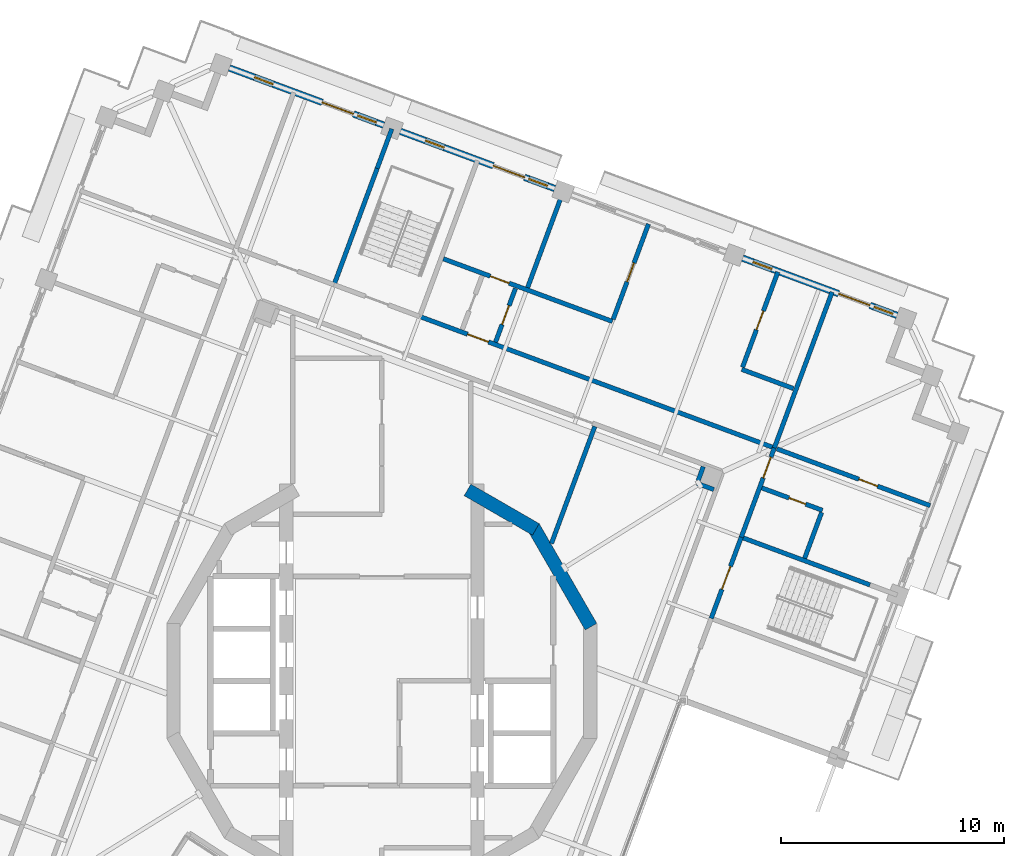
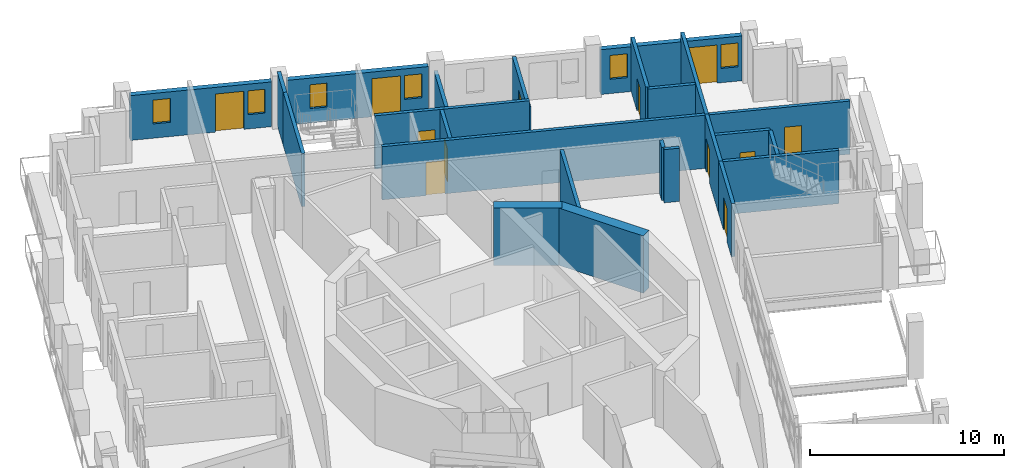
# One storey, part 10 of 19: 24 walls, 12 doors, 6 windows, 18 openings.
"""IFC4 building model written with IfcOpenShell, lengths in metres."""

import ifcopenshell
import ifcopenshell.guid

model = None  # the IFC model being written
_history = None  # IfcOwnerHistory: only IFC2X3 demands one
_inside = {}  # id of a spatial element -> (the spatial element, [elements in it])
_under = {}  # id of a project, library or spatial element -> (it, [spatial elements below it])
_declared = {}  # id of a project -> (the project, [libraries it declares])
_typed = {}  # id of a type object -> (the type object, [elements of that type])
_made_of = {}  # id of a material, layer set ... -> (it, [elements and type objects made of it])


def new_model(schema):
    """Start an empty IFC model of exactly this schema.

    Asked for "IFC4X3", IfcOpenShell would pick the latest addendum, in which some entities
    have other attributes; the version numbers below select the first issue.
    IFC2X3 requires an IfcOwnerHistory on every rooted entity: one is made here for all.
    """
    global model, _history
    if schema == "IFC4X3":
        model = ifcopenshell.file(schema_version=(4, 3, 0, 0))
    else:
        model = ifcopenshell.file(schema=schema)
    _inside.clear()
    _under.clear()
    _declared.clear()
    _typed.clear()
    _made_of.clear()
    _history = None
    if model.schema == "IFC2X3":
        org = make("IfcOrganization", Name="unknown")
        user = make(
            "IfcPersonAndOrganization",
            ThePerson=make("IfcPerson", FamilyName="unknown"),
            TheOrganization=org,
        )
        app = make(
            "IfcApplication",
            ApplicationDeveloper=org,
            Version="unknown",
            ApplicationFullName="unknown",
            ApplicationIdentifier="unknown",
        )
        _history = make(
            "IfcOwnerHistory",
            OwningUser=user,
            OwningApplication=app,
            ChangeAction="ADDED",
            CreationDate=0,
        )
    return model


def make(cls, **values):
    """One entity of the class cls with the attributes given. An attribute that is None is left unset."""
    return model.create_entity(
        cls, **{name: value for name, value in values.items() if value is not None}
    )


def rooted(cls, **values):
    """An entity with a GlobalId (a new one), such as an element, a storey or a relation."""
    return make(cls, GlobalId=ifcopenshell.guid.new(), OwnerHistory=_history, **values)


def si_unit(unit_type, name, prefix=None):
    """IfcSIUnit, for example si_unit("LENGTHUNIT", "METRE", prefix="MILLI")."""
    return make("IfcSIUnit", UnitType=unit_type, Prefix=prefix, Name=name)


def assignment(units):
    """IfcUnitAssignment: the units of a project."""
    return None if units is None else make("IfcUnitAssignment", Units=units)


def point(xyz):
    """IfcCartesianPoint."""
    return None if xyz is None else make("IfcCartesianPoint", Coordinates=xyz)


def direction(xyz):
    """IfcDirection."""
    return None if xyz is None else make("IfcDirection", DirectionRatios=xyz)


def frame(location, z_axis=None, x_axis=None):
    """IfcAxis2Placement3D, a coordinate frame: its origin and axes. An axis left out is left unset."""
    return make(
        "IfcAxis2Placement3D",
        Location=point(location),
        Axis=direction(z_axis),
        RefDirection=direction(x_axis),
    )


def frame_2d(location, x_axis=None):
    """IfcAxis2Placement2D, a coordinate frame in the plane: its origin and x axis."""
    return make(
        "IfcAxis2Placement2D", Location=point(location), RefDirection=direction(x_axis)
    )


def origin():
    """The frame at (0, 0, 0) with its axes left unset."""
    return frame((0.0, 0.0, 0.0))


def place(relative_to, where):
    """IfcLocalPlacement: puts the frame where relative to a parent placement (None: the world)."""
    return make(
        "IfcLocalPlacement", PlacementRelTo=relative_to, RelativePlacement=where
    )


def context(
    kind, dimensions, precision=None, world=None, true_north=None, identifier=None
):
    """IfcGeometricRepresentationContext, for example the 3D "Model" context."""
    return make(
        "IfcGeometricRepresentationContext",
        ContextIdentifier=identifier,
        ContextType=kind,
        CoordinateSpaceDimension=dimensions,
        Precision=precision,
        WorldCoordinateSystem=world,
        TrueNorth=true_north,
    )


def subcontext(parent, identifier, kind, view, scale=None):
    """IfcGeometricRepresentationSubContext, for example "Body" below "Model"."""
    return make(
        "IfcGeometricRepresentationSubContext",
        ContextIdentifier=identifier,
        ContextType=kind,
        ParentContext=parent,
        TargetScale=scale,
        TargetView=view,
    )


def project(units=None, contexts=None):
    """IfcProject with its units and contexts."""
    return rooted(
        "IfcProject",
        Name="project",
        RepresentationContexts=contexts,
        UnitsInContext=assignment(units),
    )


def spatial(cls, under=None, at=None, **own):
    """A site, building, storey or space (cls), placed at a placement, below another one or the project."""
    s = rooted(cls, ObjectPlacement=at, **own)
    if under is not None:
        _under.setdefault(under.id(), (under, []))[1].append(s)
    return s


def profile(cls, at=None, kind="AREA", **sizes):
    """A parametric profile (cls). Its sizes go by their IFC names, for example OverallWidth=200.0."""
    return make(cls, ProfileType=kind, Position=at, **sizes)


def rectangle(**sizes):
    """IfcRectangleProfileDef."""
    return profile("IfcRectangleProfileDef", **sizes)


def extrude(swept, where, along, depth):
    """IfcExtrudedAreaSolid: the profile swept, set in the frame where, extruded along a direction by depth."""
    return make(
        "IfcExtrudedAreaSolid",
        SweptArea=swept,
        Position=where,
        ExtrudedDirection=direction(along),
        Depth=depth,
    )


def shape(context_of_items, identifier, shape_type, items):
    """IfcShapeRepresentation: the items that make up one representation, for example the "Body"."""
    return make(
        "IfcShapeRepresentation",
        ContextOfItems=context_of_items,
        RepresentationIdentifier=identifier,
        RepresentationType=shape_type,
        Items=items,
    )


def material(Name=None, Category=None):
    """IfcMaterial."""
    return make("IfcMaterial", Name=Name, Category=Category)


def layer(
    of_material, thickness, ventilated=None, Name=None, Category=None, Priority=None
):
    """IfcMaterialLayer: one layer of a wall or slab, of a material (None: an air gap)."""
    return make(
        "IfcMaterialLayer",
        Material=of_material,
        LayerThickness=thickness,
        IsVentilated=ventilated,
        Name=Name,
        Category=Category,
        Priority=Priority,
    )


def layer_set(layers, Name=None):
    """IfcMaterialLayerSet."""
    return make("IfcMaterialLayerSet", MaterialLayers=layers, LayerSetName=Name)


def made_of(thing, what):
    """Note that an element or type object is made of a material, layer set ...; save() writes the relation."""
    if what is not None:
        _made_of.setdefault(what.id(), (what, []))[1].append(thing)
    return thing


def type_object(cls, material=None, **own):
    """A type object (cls), such as IfcWallType, which elements share."""
    return made_of(rooted(cls, **own), material)


def element(
    cls,
    number,
    at=None,
    inside=None,
    cuts=None,
    type_object=None,
    material=None,
    context=None,
    identifier="Body",
    shape_type=None,
    held_by="IfcProductDefinitionShape",
    body=None,
    shapes=None,
    **own,
):
    """One element of the class cls, such as IfcWall. Its Tag is "e" and its number.

    at: its placement. inside: the storey or other place that contains it. cuts: it is an
    opening in that element (IfcRelVoidsElement). A single representation is given by context,
    identifier, shape_type and body (its items); several are given by shapes. held_by: the class
    of the entity that holds the representations. save() writes the other relations.
    """
    e = rooted(cls, Tag="e%d" % number, ObjectPlacement=at, **own)
    if body is not None:
        shapes = [shape(context, identifier, shape_type, body)]
    if shapes is not None:
        e.Representation = make(held_by, Representations=shapes)
    if inside is not None:
        _inside.setdefault(inside.id(), (inside, []))[1].append(e)
    if cuts is not None:
        rooted(
            "IfcRelVoidsElement", RelatingBuildingElement=cuts, RelatedOpeningElement=e
        )
    if type_object is not None:
        _typed.setdefault(type_object.id(), (type_object, []))[1].append(e)
    return made_of(e, material)


def fill(opening, filler):
    """IfcRelFillsElement: the door or window that sits in an opening."""
    return rooted(
        "IfcRelFillsElement",
        RelatingOpeningElement=opening,
        RelatedBuildingElement=filler,
    )


def aggregate(whole, parts):
    """IfcRelAggregates: a whole, such as a stair, and the parts it consists of."""
    return rooted("IfcRelAggregates", RelatingObject=whole, RelatedObjects=parts)


def save(model, path):
    """Write the relations noted so far, then the file.

    IfcRelAggregates (storeys below a building ...), IfcRelContainedInSpatialStructure (elements
    in a storey), IfcRelDefinesByType, IfcRelAssociatesMaterial and IfcRelDeclares: one each for
    every whole, place, type object, material and project.
    """
    for whole, parts in _under.values():
        aggregate(whole, parts)
    for where, things in _inside.values():
        rooted(
            "IfcRelContainedInSpatialStructure",
            RelatedElements=things,
            RelatingStructure=where,
        )
    for kind, things in _typed.values():
        rooted("IfcRelDefinesByType", RelatedObjects=things, RelatingType=kind)
    for what, things in _made_of.values():
        rooted("IfcRelAssociatesMaterial", RelatedObjects=things, RelatingMaterial=what)
    for by, libraries in _declared.values():
        rooted("IfcRelDeclares", RelatingContext=by, RelatedDefinitions=libraries)
    model.write(path)


model = new_model("IFC4")

# Units and contexts
model_context = context("Model", 3, precision=1e-05, world=origin(), true_north=direction((0.0, 1.0)))
body_context = subcontext(model_context, "Body", "Model", "MODEL_VIEW")
ifc_project = project(units=[si_unit("LENGTHUNIT", "METRE"), si_unit("AREAUNIT", "SQUARE_METRE"), si_unit("VOLUMEUNIT", "CUBIC_METRE"), si_unit("PLANEANGLEUNIT", "RADIAN"), si_unit("MASSUNIT", "GRAM", prefix="KILO")], contexts=[model_context])

# Site, building, storey
site_placement = place(None, origin())
site = spatial("IfcSite", under=ifc_project, at=site_placement, CompositionType="ELEMENT")
building_placement = place(site_placement, origin())
building = spatial("IfcBuilding", under=site, at=building_placement, Name="Cantera Rosa Tower", CompositionType="ELEMENT")
storey_placement = place(building_placement, frame((0.0, 0.0, 331.300048828125)))
storey = spatial("IfcBuildingStorey", under=building, at=storey_placement, Name="L74", CompositionType="ELEMENT", Elevation=331.300048828125)

# Wall, opening, door
ifc_material_1 = material(Name="Gypsum board partition")
ifc_layer_1 = layer(ifc_material_1, 0.199951171875)
ifc_layer_set_1 = layer_set([ifc_layer_1], Name="CORRIDOR WALL 200 H3350")
wall_type_1 = type_object("IfcWallType", Name="CORRIDOR WALL 200 H3350", PredefinedType="PARTITIONING", material=ifc_layer_set_1)
wall_1_placement = place(storey_placement, frame((16.1513671875, 6.460205078125, 0.0), z_axis=(0.0, 0.0, 1.0), x_axis=(0.347438825371, 0.937702651497, 0.0)))
wall_1 = element("IfcWall", 1, at=wall_1_placement, inside=storey, type_object=wall_type_1, Name="CORRIDOR WALL L74-107", PredefinedType="PARTITIONING", context=body_context, shape_type="SweptSolid", body=[
    extrude(rectangle(XDim=4.280029296875, YDim=0.199951171875, at=frame_2d((2.14013671875, 0.0))), origin(), (0.0, 0.0, 1.0), 3.349853515625),
])
opening_1_placement = place(wall_1_placement, frame((2.840087890625, 0.0, 0.0)))
opening_1 = element("IfcOpeningElement", 2, at=opening_1_placement, cuts=wall_1, Name="Opening L74-049", PredefinedType="OPENING", context=body_context, shape_type="SweptSolid", body=[
    extrude(rectangle(XDim=1.0, YDim=2.10009765625, at=frame_2d((0.5, 1.050048828125))), frame((0.0, 0.10986328125, 0.0), z_axis=(0.0, -1.0, 0.0), x_axis=(1.0, 0.0, 0.0)), (0.0, 0.0, 1.0), 0.219970703125),
])
ifc_material_2 = material(Name="Timber door leaf", Category="wood")
door_type_1 = type_object("IfcDoorType", Name="ENTRANCE DOOR 1000x2100", OperationType="NOTDEFINED", PredefinedType="DOOR", material=ifc_material_2)
door_1_placement = place(opening_1_placement, origin())
door_1 = element("IfcDoor", 3, at=door_1_placement, inside=storey, type_object=door_type_1, Name="DOOR L74-049", OperationType="NOTDEFINED", OverallHeight=2.10009765625, OverallWidth=1.0, PredefinedType="DOOR", context=body_context, shape_type="SweptSolid", body=[
    extrude(rectangle(XDim=1.0, YDim=2.10009765625, at=frame_2d((0.5, 1.050048828125))), frame((0.0, 0.02490234375, 0.0), z_axis=(0.0, -1.0, 0.0), x_axis=(1.0, 0.0, 0.0)), (0.0, 0.0, 1.0), 0.050048828125),
])
fill(opening_1, door_1)

wall_2_placement = place(storey_placement, frame((17.544677734375, 10.50830078125, 0.0), z_axis=(0.0, 0.0, 1.0), x_axis=(-0.937684617113, 0.347487494493, 0.0)))
wall_2 = element("IfcWall", 4, at=wall_2_placement, inside=storey, type_object=wall_type_1, Name="CORRIDOR WALL L74-110", PredefinedType="PARTITIONING", context=body_context, shape_type="SweptSolid", body=[
    extrude(rectangle(XDim=16.900146484375, YDim=0.199951171875, at=frame_2d((8.4501953125, 0.0))), origin(), (0.0, 0.0, 1.0), 3.349853515625),
])
opening_2_placement = place(wall_2_placement, frame((13.60009765625, 0.0, 0.0)))
opening_2 = element("IfcOpeningElement", 5, at=opening_2_placement, cuts=wall_2, Name="Opening L74-021", PredefinedType="OPENING", context=body_context, shape_type="SweptSolid", body=[
    extrude(rectangle(XDim=1.0, YDim=2.10009765625, at=frame_2d((0.5, 1.050048828125))), frame((0.0, 0.10986328125, 0.0), z_axis=(0.0, -1.0, 0.0), x_axis=(1.0, 0.0, 0.0)), (0.0, 0.0, 1.0), 0.219970703125),
])
door_2_placement = place(opening_2_placement, origin())
door_2 = element("IfcDoor", 6, at=door_2_placement, inside=storey, type_object=door_type_1, Name="DOOR L74-021", OperationType="NOTDEFINED", OverallHeight=2.10009765625, OverallWidth=1.0, PredefinedType="DOOR", context=body_context, shape_type="SweptSolid", body=[
    extrude(rectangle(XDim=1.0, YDim=2.10009765625, at=frame_2d((0.5, 1.050048828125))), frame((0.0, 0.02490234375, 0.0), z_axis=(0.0, -1.0, 0.0), x_axis=(1.0, 0.0, 0.0)), (0.0, 0.0, 1.0), 0.050048828125),
])
fill(opening_2, door_2)

# Wall, openings, windows, door
ifc_material_3 = material(Name="Hollow clay masonry with cantera stone cladding", Category="masonry")
ifc_layer_2 = layer(ifc_material_3, 0.300048828125)
ifc_layer_set_2 = layer_set([ifc_layer_2], Name="EW-LOGGIA 300 H2820")
wall_type_2 = type_object("IfcWallType", Name="EW-LOGGIA 300 H2820", PredefinedType="SOLIDWALL", material=ifc_layer_set_2)
wall_3_placement = place(storey_placement, frame((23.1513671875, 16.428955078125, 0.0), z_axis=(0.0, 0.0, 1.0), x_axis=(-0.937676706507, 0.347508840281, 0.0)))
wall_3 = element("IfcWall", 7, at=wall_3_placement, inside=storey, type_object=wall_type_2, Name="EN-L74-W01", PredefinedType="SOLIDWALL", context=body_context, shape_type="SweptSolid", body=[
    extrude(rectangle(XDim=7.39990234375, YDim=0.300048828125, at=frame_2d((3.699951171875, 0.0))), origin(), (0.0, 0.0, 1.0), 2.820068359375),
])
opening_3_placement = place(wall_3_placement, frame((0.199951171875, 0.0, 0.89990234375)))
opening_3 = element("IfcOpeningElement", 8, at=opening_3_placement, cuts=wall_3, Name="Opening L74-W01", PredefinedType="OPENING", context=body_context, shape_type="SweptSolid", body=[
    extrude(rectangle(XDim=0.89990234375, YDim=1.5, at=frame_2d((0.449951171875, 0.75))), frame((0.0, 0.159912109375, 0.0), z_axis=(0.0, -1.0, 0.0), x_axis=(1.0, 0.0, 0.0)), (0.0, 0.0, 1.0), 0.320068359375),
])
opening_4_placement = place(wall_3_placement, frame((1.300048828125, 0.0, 0.0)))
opening_4 = element("IfcOpeningElement", 9, at=opening_4_placement, cuts=wall_3, Name="Opening L74-TD02", PredefinedType="OPENING", context=body_context, shape_type="SweptSolid", body=[
    extrude(rectangle(XDim=1.5, YDim=2.39990234375, at=frame_2d((0.75, 1.199951171875))), frame((0.0, 0.159912109375, 0.0), z_axis=(0.0, -1.0, 0.0), x_axis=(1.0, 0.0, 0.0)), (0.0, 0.0, 1.0), 0.320068359375),
])
opening_5_placement = place(wall_3_placement, frame((6.0, 0.0, 0.89990234375)))
opening_5 = element("IfcOpeningElement", 10, at=opening_5_placement, cuts=wall_3, Name="Opening L74-W03", PredefinedType="OPENING", context=body_context, shape_type="SweptSolid", body=[
    extrude(rectangle(XDim=0.89990234375, YDim=1.5, at=frame_2d((0.449951171875, 0.75))), frame((0.0, 0.159912109375, 0.0), z_axis=(0.0, -1.0, 0.0), x_axis=(1.0, 0.0, 0.0)), (0.0, 0.0, 1.0), 0.320068359375),
])
ifc_material_4 = material(Name="Aluminium frame with clear glass", Category="aluminium")
window_type = type_object("IfcWindowType", Name="Residential window 900x1500", PartitioningType="SINGLE_PANEL", PredefinedType="WINDOW", material=ifc_material_4)
window_1_placement = place(opening_3_placement, origin())
window_1 = element("IfcWindow", 11, at=window_1_placement, inside=storey, type_object=window_type, Name="WINDOW L74-W01", OverallHeight=1.5, OverallWidth=0.89990234375, PartitioningType="SINGLE_PANEL", PredefinedType="WINDOW", context=body_context, shape_type="SweptSolid", body=[
    extrude(rectangle(XDim=0.89990234375, YDim=1.5, at=frame_2d((0.449951171875, 0.75))), frame((0.0, 0.030029296875, 0.0), z_axis=(0.0, -1.0, 0.0), x_axis=(1.0, 0.0, 0.0)), (0.0, 0.0, 1.0), 0.06005859375),
])
fill(opening_3, window_1)
window_2_placement = place(opening_5_placement, origin())
window_2 = element("IfcWindow", 12, at=window_2_placement, inside=storey, type_object=window_type, Name="WINDOW L74-W03", OverallHeight=1.5, OverallWidth=0.89990234375, PartitioningType="SINGLE_PANEL", PredefinedType="WINDOW", context=body_context, shape_type="SweptSolid", body=[
    extrude(rectangle(XDim=0.89990234375, YDim=1.5, at=frame_2d((0.449951171875, 0.75))), frame((0.0, 0.030029296875, 0.0), z_axis=(0.0, -1.0, 0.0), x_axis=(1.0, 0.0, 0.0)), (0.0, 0.0, 1.0), 0.06005859375),
])
fill(opening_5, window_2)
ifc_material_5 = material(Name="Aluminium frame with clear glass", Category="aluminium")
door_type_2 = type_object("IfcDoorType", Name="TD-R 1500x2400", OperationType="NOTDEFINED", PredefinedType="DOOR", material=ifc_material_5)
door_3_placement = place(opening_4_placement, origin())
door_3 = element("IfcDoor", 13, at=door_3_placement, inside=storey, type_object=door_type_2, Name="LOGGIA DOOR L74-TD02", OperationType="SLIDING_TO_LEFT", OverallHeight=2.39990234375, OverallWidth=1.5, PredefinedType="DOOR", context=body_context, shape_type="SweptSolid", body=[
    extrude(rectangle(XDim=1.5, YDim=2.39990234375, at=frame_2d((0.75, 1.199951171875))), frame((0.0, 0.02490234375, 0.0), z_axis=(0.0, -1.0, 0.0), x_axis=(1.0, 0.0, 0.0)), (0.0, 0.0, 1.0), 0.050048828125),
])
fill(opening_4, door_3)

wall_4_placement = place(storey_placement, frame((7.7734375, 22.127685546875, 0.0), z_axis=(0.0, 0.0, 1.0), x_axis=(-0.937680690562, 0.34749808999, 0.0)))
wall_4 = element("IfcWall", 14, at=wall_4_placement, inside=storey, type_object=wall_type_2, Name="EN-L74-W03", PredefinedType="SOLIDWALL", context=body_context, shape_type="SweptSolid", body=[
    extrude(rectangle(XDim=7.400146484375, YDim=0.300048828125, at=frame_2d((3.7001953125, 0.0))), origin(), (0.0, 0.0, 1.0), 2.820068359375),
])
opening_6_placement = place(wall_4_placement, frame((0.35009765625, 0.0, 0.89990234375)))
opening_6 = element("IfcOpeningElement", 15, at=opening_6_placement, cuts=wall_4, Name="Opening L74-W07", PredefinedType="OPENING", context=body_context, shape_type="SweptSolid", body=[
    extrude(rectangle(XDim=0.89990234375, YDim=1.5, at=frame_2d((0.449951171875, 0.75))), frame((0.0, 0.159912109375, 0.0), z_axis=(0.0, -1.0, 0.0), x_axis=(1.0, 0.0, 0.0)), (0.0, 0.0, 1.0), 0.320068359375),
])
opening_7_placement = place(wall_4_placement, frame((1.449951171875, 0.0, 0.0)))
opening_7 = element("IfcOpeningElement", 16, at=opening_7_placement, cuts=wall_4, Name="Opening L74-TD08", PredefinedType="OPENING", context=body_context, shape_type="SweptSolid", body=[
    extrude(rectangle(XDim=1.5, YDim=2.39990234375, at=frame_2d((0.75, 1.199951171875))), frame((0.0, 0.159912109375, 0.0), z_axis=(0.0, -1.0, 0.0), x_axis=(1.0, 0.0, 0.0)), (0.0, 0.0, 1.0), 0.320068359375),
])
opening_8_placement = place(wall_4_placement, frame((5.300048828125, 0.0, 0.89990234375)))
opening_8 = element("IfcOpeningElement", 17, at=opening_8_placement, cuts=wall_4, Name="Opening L74-W09", PredefinedType="OPENING", context=body_context, shape_type="SweptSolid", body=[
    extrude(rectangle(XDim=0.89990234375, YDim=1.5, at=frame_2d((0.449951171875, 0.75))), frame((0.0, 0.159912109375, 0.0), z_axis=(0.0, -1.0, 0.0), x_axis=(1.0, 0.0, 0.0)), (0.0, 0.0, 1.0), 0.320068359375),
])
window_3_placement = place(opening_6_placement, origin())
window_3 = element("IfcWindow", 18, at=window_3_placement, inside=storey, type_object=window_type, Name="WINDOW L74-W07", OverallHeight=1.5, OverallWidth=0.89990234375, PartitioningType="SINGLE_PANEL", PredefinedType="WINDOW", context=body_context, shape_type="SweptSolid", body=[
    extrude(rectangle(XDim=0.89990234375, YDim=1.5, at=frame_2d((0.449951171875, 0.75))), frame((0.0, 0.030029296875, 0.0), z_axis=(0.0, -1.0, 0.0), x_axis=(1.0, 0.0, 0.0)), (0.0, 0.0, 1.0), 0.06005859375),
])
fill(opening_6, window_3)
window_4_placement = place(opening_8_placement, origin())
window_4 = element("IfcWindow", 19, at=window_4_placement, inside=storey, type_object=window_type, Name="WINDOW L74-W09", OverallHeight=1.5, OverallWidth=0.89990234375, PartitioningType="SINGLE_PANEL", PredefinedType="WINDOW", context=body_context, shape_type="SweptSolid", body=[
    extrude(rectangle(XDim=0.89990234375, YDim=1.5, at=frame_2d((0.449951171875, 0.75))), frame((0.0, 0.030029296875, 0.0), z_axis=(0.0, -1.0, 0.0), x_axis=(1.0, 0.0, 0.0)), (0.0, 0.0, 1.0), 0.06005859375),
])
fill(opening_8, window_4)
door_4_placement = place(opening_7_placement, origin())
door_4 = element("IfcDoor", 20, at=door_4_placement, inside=storey, type_object=door_type_2, Name="LOGGIA DOOR L74-TD08", OperationType="SLIDING_TO_LEFT", OverallHeight=2.39990234375, OverallWidth=1.5, PredefinedType="DOOR", context=body_context, shape_type="SweptSolid", body=[
    extrude(rectangle(XDim=1.5, YDim=2.39990234375, at=frame_2d((0.75, 1.199951171875))), frame((0.0, 0.02490234375, 0.0), z_axis=(0.0, -1.0, 0.0), x_axis=(1.0, 0.0, 0.0)), (0.0, 0.0, 1.0), 0.050048828125),
])
fill(opening_7, door_4)

wall_5_placement = place(storey_placement, frame((0.084228515625, 24.97705078125, 0.0), z_axis=(0.0, 0.0, 1.0), x_axis=(-0.937687456783, 0.347479831633, 0.0)))
wall_5 = element("IfcWall", 21, at=wall_5_placement, inside=storey, type_object=wall_type_2, Name="EN-L74-W04", PredefinedType="SOLIDWALL", context=body_context, shape_type="SweptSolid", body=[
    extrude(rectangle(XDim=7.39990234375, YDim=0.300048828125, at=frame_2d((3.699951171875, 0.0))), origin(), (0.0, 0.0, 1.0), 2.820068359375),
])
opening_9_placement = place(wall_5_placement, frame((0.35009765625, 0.0, 0.89990234375)))
opening_9 = element("IfcOpeningElement", 22, at=opening_9_placement, cuts=wall_5, Name="Opening L74-W10", PredefinedType="OPENING", context=body_context, shape_type="SweptSolid", body=[
    extrude(rectangle(XDim=0.89990234375, YDim=1.5, at=frame_2d((0.449951171875, 0.75))), frame((0.0, 0.159912109375, 0.0), z_axis=(0.0, -1.0, 0.0), x_axis=(1.0, 0.0, 0.0)), (0.0, 0.0, 1.0), 0.320068359375),
])
opening_10_placement = place(wall_5_placement, frame((1.449951171875, 0.0, 0.0)))
opening_10 = element("IfcOpeningElement", 23, at=opening_10_placement, cuts=wall_5, Name="Opening L74-TD11", PredefinedType="OPENING", context=body_context, shape_type="SweptSolid", body=[
    extrude(rectangle(XDim=1.5, YDim=2.39990234375, at=frame_2d((0.75, 1.199951171875))), frame((0.0, 0.159912109375, 0.0), z_axis=(0.0, -1.0, 0.0), x_axis=(1.0, 0.0, 0.0)), (0.0, 0.0, 1.0), 0.320068359375),
])
opening_11_placement = place(wall_5_placement, frame((5.300048828125, 0.0, 0.89990234375)))
opening_11 = element("IfcOpeningElement", 24, at=opening_11_placement, cuts=wall_5, Name="Opening L74-W12", PredefinedType="OPENING", context=body_context, shape_type="SweptSolid", body=[
    extrude(rectangle(XDim=0.89990234375, YDim=1.5, at=frame_2d((0.449951171875, 0.75))), frame((0.0, 0.159912109375, 0.0), z_axis=(0.0, -1.0, 0.0), x_axis=(1.0, 0.0, 0.0)), (0.0, 0.0, 1.0), 0.320068359375),
])
window_5_placement = place(opening_9_placement, origin())
window_5 = element("IfcWindow", 25, at=window_5_placement, inside=storey, type_object=window_type, Name="WINDOW L74-W10", OverallHeight=1.5, OverallWidth=0.89990234375, PartitioningType="SINGLE_PANEL", PredefinedType="WINDOW", context=body_context, shape_type="SweptSolid", body=[
    extrude(rectangle(XDim=0.89990234375, YDim=1.5, at=frame_2d((0.449951171875, 0.75))), frame((0.0, 0.030029296875, 0.0), z_axis=(0.0, -1.0, 0.0), x_axis=(1.0, 0.0, 0.0)), (0.0, 0.0, 1.0), 0.06005859375),
])
fill(opening_9, window_5)
window_6_placement = place(opening_11_placement, origin())
window_6 = element("IfcWindow", 26, at=window_6_placement, inside=storey, type_object=window_type, Name="WINDOW L74-W12", OverallHeight=1.5, OverallWidth=0.89990234375, PartitioningType="SINGLE_PANEL", PredefinedType="WINDOW", context=body_context, shape_type="SweptSolid", body=[
    extrude(rectangle(XDim=0.89990234375, YDim=1.5, at=frame_2d((0.449951171875, 0.75))), frame((0.0, 0.030029296875, 0.0), z_axis=(0.0, -1.0, 0.0), x_axis=(1.0, 0.0, 0.0)), (0.0, 0.0, 1.0), 0.06005859375),
])
fill(opening_11, window_6)
door_5_placement = place(opening_10_placement, origin())
door_5 = element("IfcDoor", 27, at=door_5_placement, inside=storey, type_object=door_type_2, Name="LOGGIA DOOR L74-TD11", OperationType="SLIDING_TO_LEFT", OverallHeight=2.39990234375, OverallWidth=1.5, PredefinedType="DOOR", context=body_context, shape_type="SweptSolid", body=[
    extrude(rectangle(XDim=1.5, YDim=2.39990234375, at=frame_2d((0.75, 1.199951171875))), frame((0.0, 0.02490234375, 0.0), z_axis=(0.0, -1.0, 0.0), x_axis=(1.0, 0.0, 0.0)), (0.0, 0.0, 1.0), 0.050048828125),
])
fill(opening_10, door_5)

# Wall
ifc_material_6 = material(Name="Gypsum board partition")
ifc_layer_3 = layer(ifc_material_6, 0.199951171875)
ifc_layer_set_3 = layer_set([ifc_layer_3], Name="PARTITION 200 H2450")
wall_type_3 = type_object("IfcWallType", Name="PARTITION 200 H2450", PredefinedType="PARTITIONING", material=ifc_layer_set_3)
wall_6_placement = place(storey_placement, frame((8.137939453125, 21.960693359375, 0.0), z_axis=(0.0, 0.0, 1.0), x_axis=(-0.347450063389, -0.937698487495, 0.0)))
element("IfcWall", 28, at=wall_6_placement, inside=storey, type_object=wall_type_3, Name="PARTITION L74-098", PredefinedType="PARTITIONING", context=body_context, shape_type="SweptSolid", body=[
    extrude(rectangle(XDim=4.570068359375, YDim=0.199951171875, at=frame_2d((2.28515625, 0.0))), origin(), (0.0, 0.0, 1.0), 2.449951171875),
])

# Wall, opening, door
ifc_material_7 = material(Name="Gypsum board partition")
ifc_layer_4 = layer(ifc_material_7, 0.199951171875)
ifc_layer_set_4 = layer_set([ifc_layer_4], Name="PARTITION 200 H2850")
wall_type_4 = type_object("IfcWallType", Name="PARTITION 200 H2850", PredefinedType="PARTITIONING", material=ifc_layer_set_4)
wall_7_placement = place(storey_placement, frame((11.982421875, 20.535888671875, 0.0), z_axis=(0.0, 0.0, 1.0), x_axis=(-0.347467468938, -0.937692037947, 0.0)))
wall_7 = element("IfcWall", 29, at=wall_7_placement, inside=storey, type_object=wall_type_4, Name="PARTITION L74-101", PredefinedType="PARTITIONING", context=body_context, shape_type="SweptSolid", body=[
    extrude(rectangle(XDim=4.56982421875, YDim=0.199951171875, at=frame_2d((2.284912109375, 0.0))), origin(), (0.0, 0.0, 1.0), 2.849853515625),
])
opening_12_placement = place(wall_7_placement, frame((1.8701171875, 0.0, 0.0)))
opening_12 = element("IfcOpeningElement", 30, at=opening_12_placement, cuts=wall_7, Name="Opening L74-025", PredefinedType="OPENING", context=body_context, shape_type="SweptSolid", body=[
    extrude(rectangle(XDim=0.89990234375, YDim=2.10009765625, at=frame_2d((0.449951171875, 1.050048828125))), frame((0.0, 0.10986328125, 0.0), z_axis=(0.0, -1.0, 0.0), x_axis=(1.0, 0.0, 0.0)), (0.0, 0.0, 1.0), 0.219970703125),
])
ifc_material_8 = material(Name="Timber door leaf", Category="wood")
door_type_3 = type_object("IfcDoorType", Name="ROOM DOOR 900x2100", OperationType="NOTDEFINED", PredefinedType="DOOR", material=ifc_material_8)
door_6_placement = place(opening_12_placement, origin())
door_6 = element("IfcDoor", 31, at=door_6_placement, inside=storey, type_object=door_type_3, Name="DOOR L74-025", OperationType="NOTDEFINED", OverallHeight=2.10009765625, OverallWidth=0.89990234375, PredefinedType="DOOR", context=body_context, shape_type="SweptSolid", body=[
    extrude(rectangle(XDim=0.89990234375, YDim=2.10009765625, at=frame_2d((0.449951171875, 1.050048828125))), frame((0.0, 0.02490234375, 0.0), z_axis=(0.0, -1.0, 0.0), x_axis=(1.0, 0.0, 0.0)), (0.0, 0.0, 1.0), 0.050048828125),
])
fill(opening_12, door_6)

ifc_material_9 = material(Name="Gypsum board partition")
ifc_layer_5 = layer(ifc_material_9, 0.199951171875)
ifc_layer_set_5 = layer_set([ifc_layer_5], Name="PARTITION 200 H3350")
wall_type_5 = type_object("IfcWallType", Name="PARTITION 200 H3350", PredefinedType="PARTITIONING", material=ifc_layer_set_5)
wall_8_placement = place(storey_placement, frame((2.764404296875, 18.9716796875, 0.0), z_axis=(0.0, 0.0, 1.0), x_axis=(0.937685847618, -0.347484173996, 0.0)))
wall_8 = element("IfcWall", 32, at=wall_8_placement, inside=storey, type_object=wall_type_5, Name="PARTITION L74-073", PredefinedType="PARTITIONING", context=body_context, shape_type="SweptSolid", body=[
    extrude(rectangle(XDim=8.10009765625, YDim=0.199951171875, at=frame_2d((4.050048828125, 0.0))), origin(), (0.0, 0.0, 1.0), 3.349853515625),
])
opening_13_placement = place(wall_8_placement, frame((2.25, 0.0, 0.0)))
opening_13 = element("IfcOpeningElement", 33, at=opening_13_placement, cuts=wall_8, Name="Opening L74-024", PredefinedType="OPENING", context=body_context, shape_type="SweptSolid", body=[
    extrude(rectangle(XDim=0.89990234375, YDim=2.10009765625, at=frame_2d((0.449951171875, 1.050048828125))), frame((0.0, 0.10986328125, 0.0), z_axis=(0.0, -1.0, 0.0), x_axis=(1.0, 0.0, 0.0)), (0.0, 0.0, 1.0), 0.219970703125),
])
door_7_placement = place(opening_13_placement, origin())
door_7 = element("IfcDoor", 34, at=door_7_placement, inside=storey, type_object=door_type_3, Name="DOOR L74-024", OperationType="NOTDEFINED", OverallHeight=2.10009765625, OverallWidth=0.89990234375, PredefinedType="DOOR", context=body_context, shape_type="SweptSolid", body=[
    extrude(rectangle(XDim=0.89990234375, YDim=2.10009765625, at=frame_2d((0.449951171875, 1.050048828125))), frame((0.0, 0.02490234375, 0.0), z_axis=(0.0, -1.0, 0.0), x_axis=(1.0, 0.0, 0.0)), (0.0, 0.0, 1.0), 0.050048828125),
])
fill(opening_13, door_7)

wall_9_placement = place(storey_placement, frame((6.004638671875, 17.642822265625, 0.0), z_axis=(0.0, 0.0, 1.0), x_axis=(-0.34748078016, -0.937687105286, 0.0)))
wall_9 = element("IfcWall", 35, at=wall_9_placement, inside=storey, type_object=wall_type_5, Name="PARTITION L74-088", PredefinedType="PARTITIONING", context=body_context, shape_type="SweptSolid", body=[
    extrude(rectangle(XDim=2.579833984375, YDim=0.199951171875, at=frame_2d((1.2900390625, 0.0))), origin(), (0.0, 0.0, 1.0), 3.349853515625),
])
opening_14_placement = place(wall_9_placement, frame((0.830078125, 0.0, 0.0)))
opening_14 = element("IfcOpeningElement", 36, at=opening_14_placement, cuts=wall_9, Name="Opening L74-023", PredefinedType="OPENING", context=body_context, shape_type="SweptSolid", body=[
    extrude(rectangle(XDim=0.89990234375, YDim=2.10009765625, at=frame_2d((0.449951171875, 1.050048828125))), frame((0.0, 0.10986328125, 0.0), z_axis=(0.0, -1.0, 0.0), x_axis=(1.0, 0.0, 0.0)), (0.0, 0.0, 1.0), 0.219970703125),
])
door_8_placement = place(opening_14_placement, origin())
door_8 = element("IfcDoor", 37, at=door_8_placement, inside=storey, type_object=door_type_3, Name="DOOR L74-023", OperationType="NOTDEFINED", OverallHeight=2.10009765625, OverallWidth=0.89990234375, PredefinedType="DOOR", context=body_context, shape_type="SweptSolid", body=[
    extrude(rectangle(XDim=0.89990234375, YDim=2.10009765625, at=frame_2d((0.449951171875, 1.050048828125))), frame((0.0, 0.02490234375, 0.0), z_axis=(0.0, -1.0, 0.0), x_axis=(1.0, 0.0, 0.0)), (0.0, 0.0, 1.0), 0.050048828125),
])
fill(opening_14, door_8)

# Walls
wall_10_placement = place(storey_placement, frame((7.62158203125, 6.177490234375, 0.0), z_axis=(0.0, 0.0, 1.0), x_axis=(0.34747170774, 0.937690467223, 0.0)))
element("IfcWall", 38, at=wall_10_placement, inside=storey, type_object=wall_type_5, Name="PARTITION L74-093", PredefinedType="PARTITIONING", context=body_context, shape_type="SweptSolid", body=[
    extrude(rectangle(XDim=5.609130859375, YDim=0.199951171875, at=frame_2d((2.8046875, 0.0))), origin(), (0.0, 0.0, 1.0), 3.349853515625),
])
wall_11_placement = place(storey_placement, frame((14.16845703125, 8.8798828125, 0.0), z_axis=(0.0, 0.0, 1.0), x_axis=(0.937763484234, -0.347274599759, 0.0)))
element("IfcWall", 39, at=wall_11_placement, inside=storey, type_object=wall_type_5, Name="PARTITION L74-102", PredefinedType="PARTITIONING", context=body_context, shape_type="SweptSolid", body=[
    extrude(rectangle(XDim=0.800048828125, YDim=0.199951171875, at=frame_2d((0.39990234375, 0.0))), origin(), (0.0, 0.0, 1.0), 3.349853515625),
])
wall_12_placement = place(storey_placement, frame((14.446533203125, 9.630126953125, 0.0), z_axis=(0.0, 0.0, 1.0), x_axis=(-0.347618433082, -0.937636083447, 0.0)))
element("IfcWall", 40, at=wall_12_placement, inside=storey, type_object=wall_type_5, Name="PARTITION L74-103", PredefinedType="PARTITIONING", context=body_context, shape_type="SweptSolid", body=[
    extrude(rectangle(XDim=0.679931640625, YDim=0.199951171875, at=frame_2d((0.33984375, 0.0))), origin(), (0.0, 0.0, 1.0), 3.349853515625),
])
wall_13_placement = place(storey_placement, frame((16.17333984375, 14.002685546875, 0.0), z_axis=(0.0, 0.0, 1.0), x_axis=(0.937677490933, -0.347506723674, 0.0)))
element("IfcWall", 41, at=wall_13_placement, inside=storey, type_object=wall_type_5, Name="PARTITION L74-108", PredefinedType="PARTITIONING", context=body_context, shape_type="SweptSolid", body=[
    extrude(rectangle(XDim=2.47998046875, YDim=0.199951171875, at=frame_2d((1.239990234375, 0.0))), origin(), (0.0, 0.0, 1.0), 3.349853515625),
])

# Wall, opening, door
wall_14_placement = place(storey_placement, frame((17.0791015625, 8.676025390625, 0.0), z_axis=(0.0, 0.0, 1.0), x_axis=(0.937671557958, -0.347522732201, 0.0)))
wall_14 = element("IfcWall", 42, at=wall_14_placement, inside=storey, type_object=wall_type_5, Name="PARTITION L74-109", PredefinedType="PARTITIONING", context=body_context, shape_type="SweptSolid", body=[
    extrude(rectangle(XDim=2.89990234375, YDim=0.199951171875, at=frame_2d((1.449951171875, 0.0))), origin(), (0.0, 0.0, 1.0), 3.349853515625),
])
opening_15_placement = place(wall_14_placement, frame((1.300048828125, 0.0, 0.0)))
opening_15 = element("IfcOpeningElement", 43, at=opening_15_placement, cuts=wall_14, Name="Opening L74-050", PredefinedType="OPENING", context=body_context, shape_type="SweptSolid", body=[
    extrude(rectangle(XDim=0.800048828125, YDim=2.10009765625, at=frame_2d((0.39990234375, 1.050048828125))), frame((0.0, 0.10986328125, 0.0), z_axis=(0.0, -1.0, 0.0), x_axis=(1.0, 0.0, 0.0)), (0.0, 0.0, 1.0), 0.219970703125),
])
ifc_material_10 = material(Name="Timber door leaf", Category="wood")
door_type_4 = type_object("IfcDoorType", Name="BATHROOM DOOR 800x2100", OperationType="NOTDEFINED", PredefinedType="DOOR", material=ifc_material_10)
door_9_placement = place(opening_15_placement, origin())
door_9 = element("IfcDoor", 44, at=door_9_placement, inside=storey, type_object=door_type_4, Name="DOOR L74-050", OperationType="NOTDEFINED", OverallHeight=2.10009765625, OverallWidth=0.800048828125, PredefinedType="DOOR", context=body_context, shape_type="SweptSolid", body=[
    extrude(rectangle(XDim=0.800048828125, YDim=2.10009765625, at=frame_2d((0.39990234375, 1.050048828125))), frame((0.0, 0.02490234375, 0.0), z_axis=(0.0, -1.0, 0.0), x_axis=(1.0, 0.0, 0.0)), (0.0, 0.0, 1.0), 0.050048828125),
])
fill(opening_15, door_9)

wall_15_placement = place(storey_placement, frame((17.796142578125, 18.381591796875, 0.0), z_axis=(0.0, 0.0, 1.0), x_axis=(-0.347450063389, -0.937698487495, 0.0)))
wall_15 = element("IfcWall", 45, at=wall_15_placement, inside=storey, type_object=wall_type_5, Name="PARTITION L74-111", PredefinedType="PARTITIONING", context=body_context, shape_type="SweptSolid", body=[
    extrude(rectangle(XDim=4.570068359375, YDim=0.199951171875, at=frame_2d((2.28515625, 0.0))), origin(), (0.0, 0.0, 1.0), 3.349853515625),
])
opening_16_placement = place(wall_15_placement, frame((1.8701171875, 0.0, 0.0)))
opening_16 = element("IfcOpeningElement", 46, at=opening_16_placement, cuts=wall_15, Name="Opening L74-026", PredefinedType="OPENING", context=body_context, shape_type="SweptSolid", body=[
    extrude(rectangle(XDim=0.89990234375, YDim=2.10009765625, at=frame_2d((0.449951171875, 1.050048828125))), frame((0.0, 0.10986328125, 0.0), z_axis=(0.0, -1.0, 0.0), x_axis=(1.0, 0.0, 0.0)), (0.0, 0.0, 1.0), 0.219970703125),
])
door_10_placement = place(opening_16_placement, origin())
door_10 = element("IfcDoor", 47, at=door_10_placement, inside=storey, type_object=door_type_3, Name="DOOR L74-026", OperationType="NOTDEFINED", OverallHeight=2.10009765625, OverallWidth=0.89990234375, PredefinedType="DOOR", context=body_context, shape_type="SweptSolid", body=[
    extrude(rectangle(XDim=0.89990234375, YDim=2.10009765625, at=frame_2d((0.449951171875, 1.050048828125))), frame((0.0, 0.02490234375, 0.0), z_axis=(0.0, -1.0, 0.0), x_axis=(1.0, 0.0, 0.0)), (0.0, 0.0, 1.0), 0.050048828125),
])
fill(opening_16, door_10)

# Wall
wall_16_placement = place(storey_placement, frame((19.763427734375, 7.574462890625, 0.0), z_axis=(0.0, 0.0, 1.0), x_axis=(-0.347484236727, -0.937685824371, 0.0)))
element("IfcWall", 48, at=wall_16_placement, inside=storey, type_object=wall_type_5, Name="PARTITION L74-112", PredefinedType="PARTITIONING", context=body_context, shape_type="SweptSolid", body=[
    extrude(rectangle(XDim=2.19970703125, YDim=0.199951171875, at=frame_2d((1.099853515625, 0.0))), origin(), (0.0, 0.0, 1.0), 3.349853515625),
])

# Wall, opening, door
wall_17_placement = place(storey_placement, frame((24.64306640625, 7.8779296875, 0.0), z_axis=(0.0, 0.0, 1.0), x_axis=(-0.937689847803, 0.347473379308, 0.0)))
wall_17 = element("IfcWall", 49, at=wall_17_placement, inside=storey, type_object=wall_type_5, Name="PARTITION L74-116", PredefinedType="PARTITIONING", context=body_context, shape_type="SweptSolid", body=[
    extrude(rectangle(XDim=7.35009765625, YDim=0.199951171875, at=frame_2d((3.675048828125, 0.0))), origin(), (0.0, 0.0, 1.0), 3.349853515625),
])
opening_17_placement = place(wall_17_placement, frame((2.52001953125, 0.0, 0.0)))
opening_17 = element("IfcOpeningElement", 50, at=opening_17_placement, cuts=wall_17, Name="Opening L74-051", PredefinedType="OPENING", context=body_context, shape_type="SweptSolid", body=[
    extrude(rectangle(XDim=0.89990234375, YDim=2.10009765625, at=frame_2d((0.449951171875, 1.050048828125))), frame((0.0, 0.10986328125, 0.0), z_axis=(0.0, -1.0, 0.0), x_axis=(1.0, 0.0, 0.0)), (0.0, 0.0, 1.0), 0.219970703125),
])
door_11_placement = place(opening_17_placement, origin())
door_11 = element("IfcDoor", 51, at=door_11_placement, inside=storey, type_object=door_type_3, Name="DOOR L74-051", OperationType="NOTDEFINED", OverallHeight=2.10009765625, OverallWidth=0.89990234375, PredefinedType="DOOR", context=body_context, shape_type="SweptSolid", body=[
    extrude(rectangle(XDim=0.89990234375, YDim=2.10009765625, at=frame_2d((0.449951171875, 1.050048828125))), frame((0.0, 0.02490234375, 0.0), z_axis=(0.0, -1.0, 0.0), x_axis=(1.0, 0.0, 0.0)), (0.0, 0.0, 1.0), 0.050048828125),
])
fill(opening_17, door_11)

# Walls
ifc_material_11 = material(Name="Gypsum board partition")
ifc_layer_6 = layer(ifc_material_11, 0.199951171875)
ifc_layer_set_6 = layer_set([ifc_layer_6], Name="PARTY WALL 200 H3350")
wall_type_6 = type_object("IfcWallType", Name="PARTY WALL 200 H3350", PredefinedType="PARTITIONING", material=ifc_layer_set_6)
wall_18_placement = place(storey_placement, frame((20.234130859375, 17.47802734375, 0.0), z_axis=(0.0, 0.0, 1.0), x_axis=(-0.347488923611, -0.937684087509, 0.0)))
element("IfcWall", 52, at=wall_18_placement, inside=storey, type_object=wall_type_6, Name="PARTY WALL L74-113", PredefinedType="PARTITIONING", context=body_context, shape_type="SweptSolid", body=[
    extrude(rectangle(XDim=7.469970703125, YDim=0.199951171875, at=frame_2d((3.73486328125, 0.0))), origin(), (0.0, 0.0, 1.0), 3.349853515625),
])
ifc_material_12 = material(Name="Concrete C50/60", Category="concrete")
ifc_layer_7 = layer(ifc_material_12, 0.60009765625)
ifc_layer_set_7 = layer_set([ifc_layer_7], Name="RC CORE WALL 600 C50/60")
wall_type_7 = type_object("IfcWallType", Name="RC CORE WALL 600 C50/60", PredefinedType="SHEAR", material=ifc_layer_set_7)
wall_19_placement = place(storey_placement, frame((3.85009765625, 8.584228515625, 0.0), z_axis=(0.0, 0.0, 1.0), x_axis=(0.866039982607, -0.499974747889, 0.0)))
element("IfcWall", 53, at=wall_19_placement, inside=storey, type_object=wall_type_7, Name="CW-E1 L74", PredefinedType="SHEAR", context=body_context, shape_type="SweptSolid", body=[
    extrude(rectangle(XDim=3.546142578125, YDim=0.60009765625, at=frame_2d((1.77294921875, 0.0))), origin(), (0.0, 0.0, 1.0), 3.599853515625),
])
wall_20_placement = place(storey_placement, frame((6.811279296875, 6.921142578125, 0.0), z_axis=(0.0, 0.0, 1.0), x_axis=(0.499989188378, -0.866031645787, 0.0)))
element("IfcWall", 54, at=wall_20_placement, inside=storey, type_object=wall_type_7, Name="CW-E2 L74", PredefinedType="SHEAR", context=body_context, shape_type="SweptSolid", body=[
    extrude(rectangle(XDim=5.17626953125, YDim=0.60009765625, at=frame_2d((2.588134765625, 0.0))), origin(), (0.0, 0.0, 1.0), 3.599853515625),
])
ifc_material_13 = material(Name="Concrete C50/60", Category="concrete")
ifc_layer_8 = layer(ifc_material_13, 0.199951171875)
ifc_layer_set_8 = layer_set([ifc_layer_8], Name="STAIR WALL 200 H3350")
wall_type_8 = type_object("IfcWallType", Name="STAIR WALL 200 H3350", PredefinedType="SOLIDWALL", material=ifc_layer_set_8)
wall_21_placement = place(storey_placement, frame((0.448974609375, 24.81005859375, 0.0), z_axis=(0.0, 0.0, 1.0), x_axis=(-0.34743152672, -0.937705355771, 0.0)))
element("IfcWall", 55, at=wall_21_placement, inside=storey, type_object=wall_type_8, Name="STAIR WALL L74-068", PredefinedType="SOLIDWALL", context=body_context, shape_type="SweptSolid", body=[
    extrude(rectangle(XDim=1.900146484375, YDim=0.199951171875, at=frame_2d((0.9501953125, 0.0))), origin(), (0.0, 0.0, 1.0), 3.349853515625),
])

# Wall, opening, door
wall_22_placement = place(storey_placement, frame((16.1513671875, 6.460205078125, 0.0), z_axis=(0.0, 0.0, 1.0), x_axis=(-0.347516717491, -0.937673787126, 0.0)))
wall_22 = element("IfcWall", 56, at=wall_22_placement, inside=storey, type_object=wall_type_8, Name="STAIR WALL L74-106", PredefinedType="SOLIDWALL", context=body_context, shape_type="SweptSolid", body=[
    extrude(rectangle(XDim=3.889892578125, YDim=0.199951171875, at=frame_2d((1.94482421875, 0.0))), origin(), (0.0, 0.0, 1.0), 3.349853515625),
])
opening_18_placement = place(wall_22_placement, frame((1.39501953125, 0.0, 0.0)))
opening_18 = element("IfcOpeningElement", 57, at=opening_18_placement, cuts=wall_22, Name="Opening L74-001", PredefinedType="OPENING", context=body_context, shape_type="SweptSolid", body=[
    extrude(rectangle(XDim=1.10009765625, YDim=2.10009765625, at=frame_2d((0.550048828125, 1.050048828125))), frame((0.0, 0.10986328125, 0.0), z_axis=(0.0, -1.0, 0.0), x_axis=(1.0, 0.0, 0.0)), (0.0, 0.0, 1.0), 0.219970703125),
])
ifc_material_14 = material(Name="Steel S355J2 (EN 10025-2)", Category="steel")
door_type_5 = type_object("IfcDoorType", Name="STAIR DOOR 1100x2100", OperationType="NOTDEFINED", PredefinedType="DOOR", material=ifc_material_14)
door_12_placement = place(opening_18_placement, origin())
door_12 = element("IfcDoor", 58, at=door_12_placement, inside=storey, type_object=door_type_5, Name="DOOR L74-001", OperationType="NOTDEFINED", OverallHeight=2.10009765625, OverallWidth=1.10009765625, PredefinedType="DOOR", context=body_context, shape_type="SweptSolid", body=[
    extrude(rectangle(XDim=1.10009765625, YDim=2.10009765625, at=frame_2d((0.550048828125, 1.050048828125))), frame((0.0, 0.02490234375, 0.0), z_axis=(0.0, -1.0, 0.0), x_axis=(1.0, 0.0, 0.0)), (0.0, 0.0, 1.0), 0.050048828125),
])
fill(opening_18, door_12)

# Walls
wall_23_placement = place(storey_placement, frame((21.936767578125, 4.31640625, 0.0), z_axis=(0.0, 0.0, 1.0), x_axis=(-0.937692901762, 0.347465137797, 0.0)))
element("IfcWall", 59, at=wall_23_placement, inside=storey, type_object=wall_type_8, Name="STAIR WALL L74-115 J", PredefinedType="SOLIDWALL", context=body_context, shape_type="SweptSolid", body=[
    extrude(rectangle(XDim=6.169921875, YDim=0.199951171875, at=frame_2d((3.0849609375, 0.0))), origin(), (0.0, 0.0, 1.0), 3.349853515625),
])
wall_24_placement = place(storey_placement, frame((-0.211181640625, 23.0283203125, 0.0), z_axis=(0.0, 0.0, 1.0), x_axis=(-0.347494221501, -0.937682124189, 0.0)))
element("IfcWall", 60, at=wall_24_placement, inside=storey, type_object=wall_type_8, Name="STAIR WALL L74-068 J", PredefinedType="SOLIDWALL", context=body_context, shape_type="SweptSolid", body=[
    extrude(rectangle(XDim=5.570068359375, YDim=0.199951171875, at=frame_2d((2.78515625, 0.0))), origin(), (0.0, 0.0, 1.0), 3.349853515625),
])

save(model, "model.ifc")
